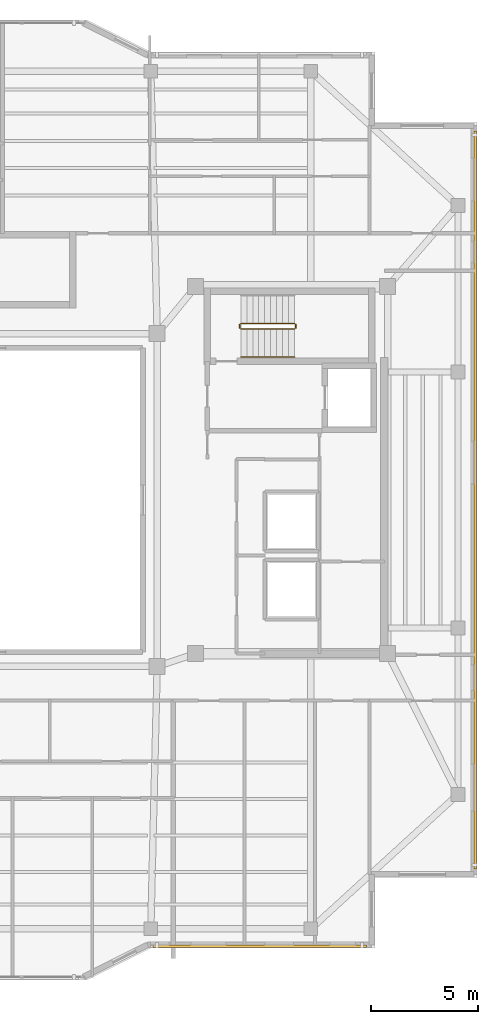
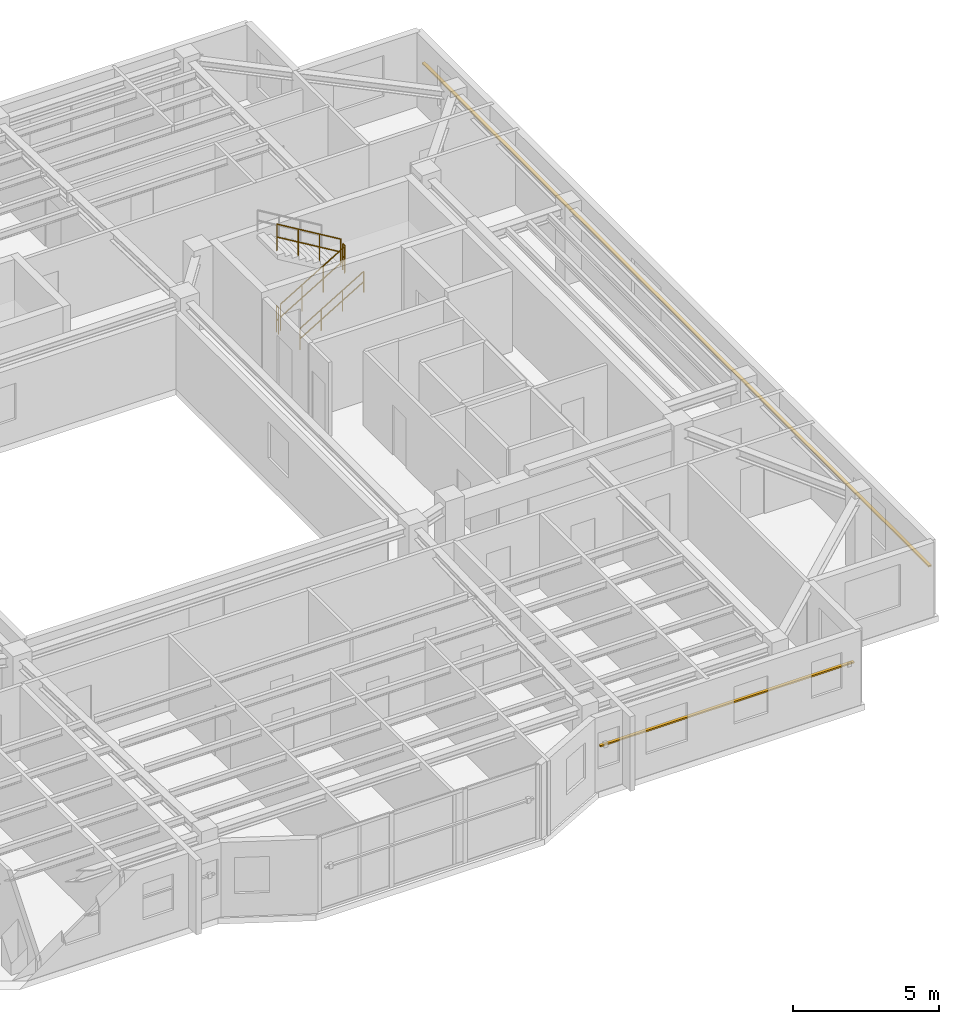
# One storey, part 12 of 13: 5 railings, 2 shading devices.
"""IFC4 building model written with IfcOpenShell, lengths in metres."""

from ifc_helpers import new_model, si_unit, direction, frame, origin, origin_2d, place, context, subcontext, project, spatial, rectangle, circle, extrude, material, material_profile, profile_set, type_object, element, save


model = new_model("IFC4")

# Units and contexts
model_context = context("Model", 3, precision=1e-05, world=origin(), true_north=direction((0.0, 1.0)))
body_context = subcontext(model_context, "Body", "Model", "MODEL_VIEW")
ifc_project = project(units=[si_unit("LENGTHUNIT", "METRE"), si_unit("AREAUNIT", "SQUARE_METRE"), si_unit("VOLUMEUNIT", "CUBIC_METRE"), si_unit("PLANEANGLEUNIT", "RADIAN"), si_unit("MASSUNIT", "GRAM", prefix="KILO")], contexts=[model_context])

# Site, building, storey
site_placement = place(None, origin())
site = spatial("IfcSite", under=ifc_project, at=site_placement, CompositionType="ELEMENT")
building_placement = place(site_placement, origin())
building = spatial("IfcBuilding", under=site, at=building_placement, Name="Tarnavaz Court Tower", CompositionType="ELEMENT")
storey_placement = place(building_placement, frame((0.0, 0.0, 248.199951171875)))
storey = spatial("IfcBuildingStorey", under=building, at=storey_placement, Name="L67", CompositionType="ELEMENT", Elevation=248.199951171875)

# Railings
ifc_material_1 = material(Name="Brushed Stainless Steel", Category="steel")
railing_type_1 = type_object("IfcRailingType", Name="RL-HANDRAIL-900", PredefinedType="HANDRAIL", material=ifc_material_1)
railing_1_placement = place(storey_placement, frame((11.719970703125, 6.699951171875, 0.16748046875)))
element("IfcRailing", 1, at=railing_1_placement, inside=storey, type_object=railing_type_1, Name="L67 ST-E1 stair handrail 1", PredefinedType="HANDRAIL", context=body_context, shape_type="SweptSolid", body=[
    extrude(circle(Radius=0.02392578125, at=origin_2d()), frame((0.0, 0.0, 0.8759765625), z_axis=(0.858159760407, 0.0, 0.513382728203), x_axis=(0.0, 1.0, 0.0)), (0.0, 0.0, 1.0), 2.9365234375),
    extrude(circle(Radius=0.02392578125, at=origin_2d()), frame((0.0, 0.0, 0.449951171875), z_axis=(0.858159760407, 0.0, 0.513382728203), x_axis=(0.0, 1.0, 0.0)), (0.0, 0.0, 1.0), 2.9365234375),
    extrude(circle(Radius=0.02099609375, at=origin_2d()), origin(), (0.0, 0.0, 1.0), 0.851806640625),
    extrude(circle(Radius=0.02099609375, at=origin_2d()), frame((0.840087890625, 0.0, 0.50244140625)), (0.0, 0.0, 1.0), 0.851806640625),
    extrude(circle(Radius=0.02099609375, at=origin_2d()), frame((1.679931640625, 0.0, 1.005126953125)), (0.0, 0.0, 1.0), 0.851806640625),
    extrude(circle(Radius=0.02099609375, at=origin_2d()), frame((2.52001953125, 0.0, 1.507568359375)), (0.0, 0.0, 1.0), 0.851806640625),
])
ifc_material_2 = material(Name="Galvanized Painted Tubular Steel", Category="steel")
railing_type_2 = type_object("IfcRailingType", Name="RL-STGUARD-1120", PredefinedType="GUARDRAIL", material=ifc_material_2)
railing_2_placement = place(storey_placement, frame((11.719970703125, 8.02001953125, 0.16748046875)))
element("IfcRailing", 2, at=railing_2_placement, inside=storey, type_object=railing_type_2, Name="L67 ST-E1 stair guard 1", PredefinedType="GUARDRAIL", context=body_context, shape_type="SweptSolid", body=[
    extrude(circle(Radius=0.02392578125, at=origin_2d()), frame((0.0, 0.0, 1.09619140625), z_axis=(0.858159760407, 0.0, 0.513382728203), x_axis=(0.0, 1.0, 0.0)), (0.0, 0.0, 1.0), 2.9365234375),
    extrude(circle(Radius=0.02392578125, at=origin_2d()), frame((0.0, 0.0, 0.56005859375), z_axis=(0.858159760407, 0.0, 0.513382728203), x_axis=(0.0, 1.0, 0.0)), (0.0, 0.0, 1.0), 2.9365234375),
    extrude(circle(Radius=0.02099609375, at=origin_2d()), origin(), (0.0, 0.0, 1.0), 1.072021484375),
    extrude(circle(Radius=0.02099609375, at=origin_2d()), frame((0.840087890625, 0.0, 0.50244140625)), (0.0, 0.0, 1.0), 1.072021484375),
    extrude(circle(Radius=0.02099609375, at=origin_2d()), frame((1.679931640625, 0.0, 1.005126953125)), (0.0, 0.0, 1.0), 1.072021484375),
    extrude(circle(Radius=0.02099609375, at=origin_2d()), frame((2.52001953125, 0.0, 1.507568359375)), (0.0, 0.0, 1.0), 1.072021484375),
])
railing_3_placement = place(storey_placement, frame((14.2900390625, 8.070068359375, 1.675048828125)))
element("IfcRailing", 3, at=railing_3_placement, inside=storey, type_object=railing_type_2, Name="L67 ST-E1 stair guard 2", PredefinedType="GUARDRAIL", context=body_context, shape_type="SweptSolid", body=[
    extrude(circle(Radius=0.02392578125, at=origin_2d()), frame((0.0, 0.0, 1.09619140625), z_axis=(0.0, 1.0, 0.0), x_axis=(-1.0, 0.0, 0.0)), (0.0, 0.0, 1.0), 0.14990234375),
    extrude(circle(Radius=0.02392578125, at=origin_2d()), frame((0.0, 0.0, 0.56005859375), z_axis=(0.0, 1.0, 0.0), x_axis=(-1.0, 0.0, 0.0)), (0.0, 0.0, 1.0), 0.14990234375),
    extrude(circle(Radius=0.02099609375, at=origin_2d()), origin(), (0.0, 0.0, 1.0), 1.072021484375),
    extrude(circle(Radius=0.02099609375, at=origin_2d()), frame((0.0, 0.14990234375, 0.0)), (0.0, 0.0, 1.0), 1.072021484375),
])
railing_4_placement = place(storey_placement, frame((14.239990234375, 8.27001953125, 1.842529296875)))
element("IfcRailing", 4, at=railing_4_placement, inside=storey, type_object=railing_type_2, Name="L67 ST-E1 stair guard 3", PredefinedType="GUARDRAIL", context=body_context, shape_type="SweptSolid", body=[
    extrude(circle(Radius=0.02392578125, at=origin_2d()), frame((0.0, 0.0, 1.09619140625), z_axis=(-0.858159760407, 0.0, 0.513382728203), x_axis=(0.0, -1.0, 0.0)), (0.0, 0.0, 1.0), 2.9365234375),
    extrude(circle(Radius=0.02392578125, at=origin_2d()), frame((0.0, 0.0, 0.56005859375), z_axis=(-0.858159760407, 0.0, 0.513382728203), x_axis=(0.0, -1.0, 0.0)), (0.0, 0.0, 1.0), 2.9365234375),
    extrude(circle(Radius=0.02099609375, at=origin_2d()), origin(), (0.0, 0.0, 1.0), 1.072021484375),
    extrude(circle(Radius=0.02099609375, at=origin_2d()), frame((-0.840087890625, 0.0, 0.50244140625)), (0.0, 0.0, 1.0), 1.072021484375),
    extrude(circle(Radius=0.02099609375, at=origin_2d()), frame((-1.679931640625, 0.0, 1.005126953125)), (0.0, 0.0, 1.0), 1.072021484375),
    extrude(circle(Radius=0.02099609375, at=origin_2d()), frame((-2.52001953125, 0.0, 1.507568359375)), (0.0, 0.0, 1.0), 1.072021484375),
])
railing_5_placement = place(storey_placement, frame((11.669921875, 8.070068359375, 0.0)))
element("IfcRailing", 5, at=railing_5_placement, inside=storey, type_object=railing_type_2, Name="L67 ST-E1 stair guard 4", PredefinedType="GUARDRAIL", context=body_context, shape_type="SweptSolid", body=[
    extrude(circle(Radius=0.02392578125, at=origin_2d()), frame((0.0, 0.0, 1.09619140625), z_axis=(0.0, 1.0, 0.0), x_axis=(-1.0, 0.0, 0.0)), (0.0, 0.0, 1.0), 0.14990234375),
    extrude(circle(Radius=0.02392578125, at=origin_2d()), frame((0.0, 0.0, 0.56005859375), z_axis=(0.0, 1.0, 0.0), x_axis=(-1.0, 0.0, 0.0)), (0.0, 0.0, 1.0), 0.14990234375),
    extrude(circle(Radius=0.02099609375, at=origin_2d()), origin(), (0.0, 0.0, 1.0), 1.072021484375),
    extrude(circle(Radius=0.02099609375, at=origin_2d()), frame((0.0, 0.14990234375, 0.0)), (0.0, 0.0, 1.0), 1.072021484375),
])

# Shading devices
ifc_material_3 = material(Name="Kiln-Fired Khorasan Terracotta Ceramic", Category="masonry")
ifc_material_profile = material_profile(ifc_material_3, rectangle(XDim=0.1201171875, YDim=0.06005859375, at=origin_2d()), Name="TC BAGUETTE 120X60")
ifc_profile_set = profile_set([ifc_material_profile], Name="Kiln-Fired Khorasan Terracotta Ceramic")
shading_device_type = type_object("IfcShadingDeviceType", Name="SD-BAG-120", PredefinedType="USERDEFINED", material=ifc_profile_set)
shading_device_1_placement = place(storey_placement, frame((22.7099609375, 17.300048828125, 1.85009765625), z_axis=(0.0, -1.0, 0.0), x_axis=(1.0, 0.0, 0.0)))
element("IfcShadingDevice", 6, at=shading_device_1_placement, inside=storey, type_object=shading_device_type, Name="L67 Terracotta Baguette Screen FBG12", ObjectType="BAGUETTE", PredefinedType="USERDEFINED", context=body_context, shape_type="SweptSolid", body=[
    extrude(rectangle(XDim=0.1201171875, YDim=0.06005859375, at=origin_2d()), origin(), (0.0, 0.0, 1.0), 34.60009765625),
])
shading_device_2_placement = place(storey_placement, frame((17.60009765625, -20.909912109375, 1.85009765625), z_axis=(-1.0, 0.0, 0.0), x_axis=(0.0, -1.0, 0.0)))
element("IfcShadingDevice", 7, at=shading_device_2_placement, inside=storey, type_object=shading_device_type, Name="L67 Terracotta Baguette Screen FBG15", ObjectType="BAGUETTE", PredefinedType="USERDEFINED", context=body_context, shape_type="SweptSolid", body=[
    extrude(rectangle(XDim=0.1201171875, YDim=0.06005859375, at=origin_2d()), origin(), (0.0, 0.0, 1.0), 10.0),
])

save(model, "model.ifc")
